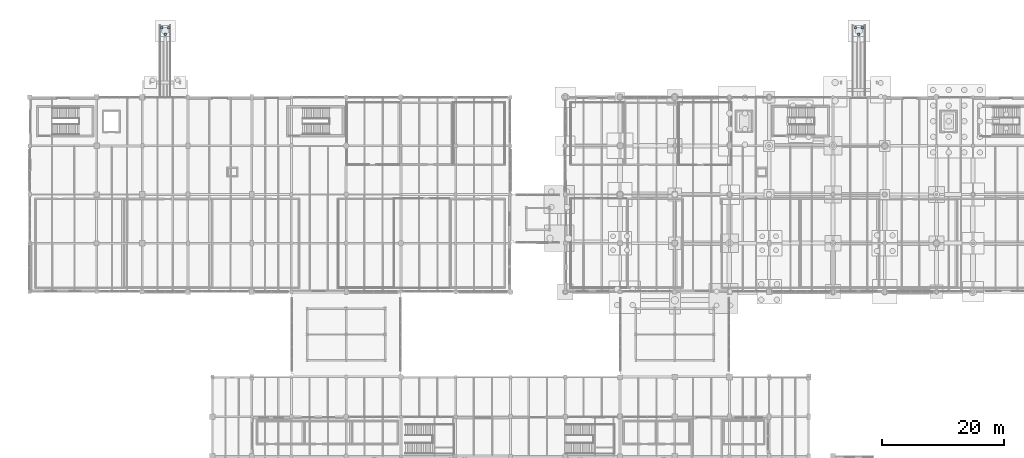
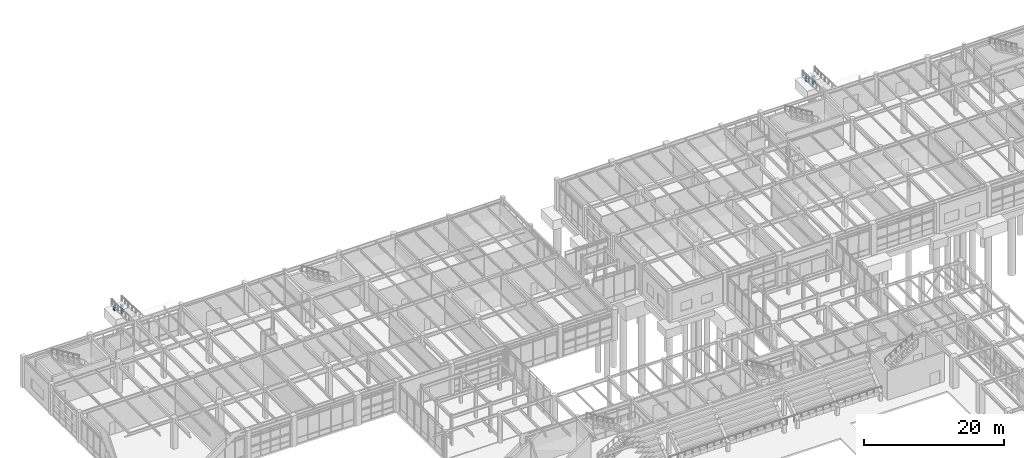
# One storey, part 27 of 203: 6 columns.
"""IFC4 building model written with IfcOpenShell, lengths in metres."""

from ifc_helpers import new_model, si_unit, direction, frame, origin, origin_2d, place, context, subcontext, project, spatial, rectangle, extrude, material, material_profile, profile_set, type_object, element, save


model = new_model("IFC4")

# Units and contexts
model_context = context("Model", 3, precision=1e-05, world=origin(), true_north=direction((0.0, 1.0)))
body_context = subcontext(model_context, "Body", "Model", "MODEL_VIEW")
ifc_project = project(units=[si_unit("LENGTHUNIT", "METRE"), si_unit("AREAUNIT", "SQUARE_METRE"), si_unit("VOLUMEUNIT", "CUBIC_METRE"), si_unit("PLANEANGLEUNIT", "RADIAN"), si_unit("MASSUNIT", "GRAM", prefix="KILO"), si_unit("THERMODYNAMICTEMPERATUREUNIT", "KELVIN"), si_unit("POWERUNIT", "WATT")], contexts=[model_context])

# Site, building, storey
site_placement = place(None, origin())
site = spatial("IfcSite", under=ifc_project, at=site_placement, CompositionType="ELEMENT")
building_placement = place(site_placement, origin())
building = spatial("IfcBuilding", under=site, at=building_placement, Name="Tepalcoro Natatorium and Aquatics Centre", CompositionType="ELEMENT")
storey_placement = place(building_placement, origin())
storey = spatial("IfcBuildingStorey", under=building, at=storey_placement, Name="L00", CompositionType="ELEMENT", Elevation=0.0)

# Columns
ifc_material = material(Name="Concrete C40/50 (fc 40 MPa)", Category="concrete")
ifc_material_profile = material_profile(ifc_material, rectangle(XDim=0.39990234375, YDim=0.39990234375, at=origin_2d()), Name="RC400x400")
ifc_profile_set = profile_set([ifc_material_profile], Name="Concrete C40/50 (fc 40 MPa)")
column_type = type_object("IfcColumnType", Name="COL_RC_400x400", PredefinedType="COLUMN", material=ifc_profile_set)
for number, where, z_axis, x_axis, name in (
    (1, (31.699951171875, 129.429931640625, -1.25), (0.0, 0.0, 1.0), (1.0, 0.0, 0.0), "RMP05 Landing Support Pier 1"),
    (2, (32.800048828125, 129.429931640625, -1.25), (0.0, 0.0, 1.0), (1.0, 0.0, 0.0), "RMP05 Landing Support Pier 2"),
    (3, (32.25, 128.330078125, -1.25), (0.0, 0.0, 1.0), (1.0, 0.0, 0.0), "RMP05 Landing Support Pier 3"),
    (4, (145.699951171875, 129.429931640625, -1.25), (0.0, 0.0, 1.0), (1.0, 0.0, 0.0), "RMP06 Landing Support Pier 1"),
    (5, (146.800048828125, 129.429931640625, -1.25), (0.0, 0.0, 1.0), (1.0, 0.0, 0.0), "RMP06 Landing Support Pier 2"),
    (6, (146.25, 128.330078125, -1.25), (0.0, 0.0, 1.0), (1.0, 0.0, 0.0), "RMP06 Landing Support Pier 3"),
):
    element("IfcColumn", number, at=place(storey_placement, frame(where, z_axis=z_axis, x_axis=x_axis)), inside=storey, type_object=column_type, Name=name, PredefinedType="COLUMN", context=body_context, shape_type="SweptSolid", body=[
        extrude(rectangle(XDim=0.39990234375, YDim=0.39990234375, at=origin_2d()), origin(), (0.0, 0.0, 1.0), 0.550048828125),
    ])

save(model, "model.ifc")
